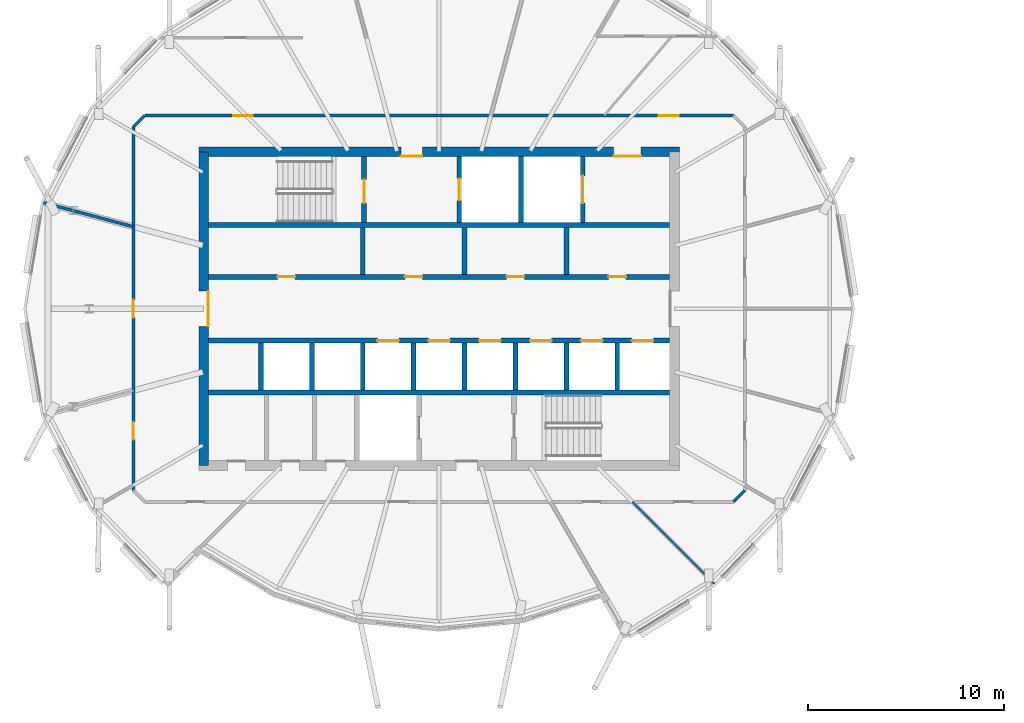
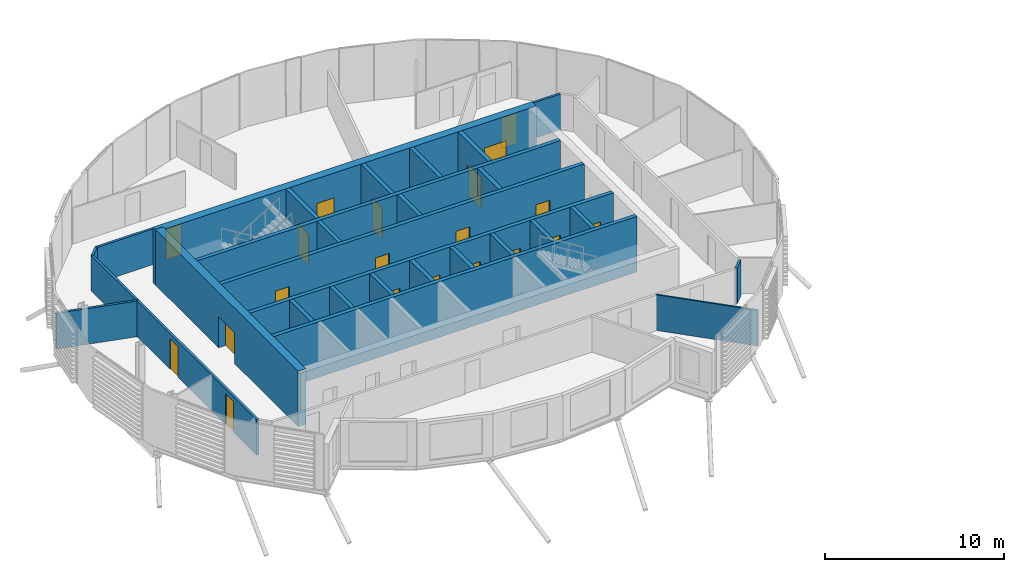
# One storey, part 18 of 38: 27 walls, 20 doors, 20 openings.
"""IFC4 building model written with IfcOpenShell, lengths in metres."""

from ifc_helpers import new_model, si_unit, direction, frame, frame_2d, origin, place, context, subcontext, project, spatial, rectangle, extrude, material, layer, layer_set, type_object, element, fill, save


model = new_model("IFC4")

# Units and contexts
model_context = context("Model", 3, precision=1e-05, world=origin(), true_north=direction((0.0, 1.0)))
body_context = subcontext(model_context, "Body", "Model", "MODEL_VIEW")
ifc_project = project(units=[si_unit("LENGTHUNIT", "METRE"), si_unit("AREAUNIT", "SQUARE_METRE"), si_unit("VOLUMEUNIT", "CUBIC_METRE"), si_unit("PLANEANGLEUNIT", "RADIAN"), si_unit("MASSUNIT", "GRAM", prefix="KILO")], contexts=[model_context])

# Site, building, storey
site_placement = place(None, origin())
site = spatial("IfcSite", under=ifc_project, at=site_placement, CompositionType="ELEMENT")
building_placement = place(site_placement, origin())
building = spatial("IfcBuilding", under=site, at=building_placement, Name="Rimbun Link Towers", CompositionType="ELEMENT")
storey_placement = place(building_placement, frame((0.0, 0.0, 218.10009765625)))
storey = spatial("IfcBuildingStorey", under=building, at=storey_placement, Name="L53", CompositionType="ELEMENT", Elevation=218.10009765625)

# Wall, openings, doors
ifc_material_1 = material(Name="Concrete C60/75", Category="concrete")
ifc_layer_1 = layer(ifc_material_1, 0.5)
ifc_layer_set_1 = layer_set([ifc_layer_1], Name="Core shear wall 500")
wall_type_1 = type_object("IfcWallType", Name="Core shear wall 500", PredefinedType="SHEAR", material=ifc_layer_set_1)
wall_1_placement = place(storey_placement, frame((-44.0, 8.0, 0.0), z_axis=(0.0, 0.0, 1.0), x_axis=(1.0, 0.0, 0.0)))
wall_1 = element("IfcWall", 1, at=wall_1_placement, inside=storey, type_object=wall_type_1, Name="L53 T1 core wall N", PredefinedType="SHEAR", context=body_context, shape_type="SweptSolid", body=[
    extrude(rectangle(XDim=24.5, YDim=0.5, at=frame_2d((12.25, 0.0))), origin(), (0.0, 0.0, 1.0), 3.7998046875),
])
opening_1_placement = place(wall_1_placement, frame((10.300048828125, 0.0, 0.0)))
opening_1 = element("IfcOpeningElement", 2, at=opening_1_placement, cuts=wall_1, Name="Opening C1DCF01N", PredefinedType="OPENING", context=body_context, shape_type="SweptSolid", body=[
    extrude(rectangle(XDim=1.10009765625, YDim=2.10009765625, at=frame_2d((0.550048828125, 1.050048828125))), frame((0.0, 0.260009765625, 0.0), z_axis=(0.0, -1.0, 0.0), x_axis=(1.0, 0.0, 0.0)), (0.0, 0.0, 1.0), 0.52001953125),
])
opening_2_placement = place(wall_1_placement, frame((21.14990234375, 0.0, 0.0)))
opening_2 = element("IfcOpeningElement", 3, at=opening_2_placement, cuts=wall_1, Name="Opening C1DSL02N", PredefinedType="OPENING", context=body_context, shape_type="SweptSolid", body=[
    extrude(rectangle(XDim=1.39990234375, YDim=2.10009765625, at=frame_2d((0.699951171875, 1.050048828125))), frame((0.0, 0.260009765625, 0.0), z_axis=(0.0, -1.0, 0.0), x_axis=(1.0, 0.0, 0.0)), (0.0, 0.0, 1.0), 0.52001953125),
])
ifc_material_2 = material(Name="Steel fire door set", Category="steel")
door_type_1 = type_object("IfcDoorType", Name="Core fire door single", OperationType="SINGLE_SWING_LEFT", PredefinedType="DOOR", material=ifc_material_2)
door_1_placement = place(opening_1_placement, origin())
door_1 = element("IfcDoor", 4, at=door_1_placement, inside=storey, type_object=door_type_1, Name="L53 T1 firefighting lobby n door", OperationType="SINGLE_SWING_LEFT", OverallHeight=2.10009765625, OverallWidth=1.10009765625, PredefinedType="DOOR", context=body_context, shape_type="SweptSolid", body=[
    extrude(rectangle(XDim=1.10009765625, YDim=2.10009765625, at=frame_2d((0.550048828125, 1.050048828125))), frame((0.0, -0.2001953125, 0.0), z_axis=(0.0, -1.0, 0.0), x_axis=(1.0, 0.0, 0.0)), (0.0, 0.0, 1.0), 0.050048828125),
])
fill(opening_1, door_1)
ifc_material_3 = material(Name="Steel fire door set", Category="steel")
door_type_2 = type_object("IfcDoorType", Name="Service lobby door double", OperationType="DOUBLE_DOOR_SINGLE_SWING", PredefinedType="DOOR", material=ifc_material_3)
door_2_placement = place(opening_2_placement, origin())
door_2 = element("IfcDoor", 5, at=door_2_placement, inside=storey, type_object=door_type_2, Name="L53 T1 service lobby door", OperationType="DOUBLE_DOOR_SINGLE_SWING", OverallHeight=2.10009765625, OverallWidth=1.39990234375, PredefinedType="DOOR", context=body_context, shape_type="SweptSolid", body=[
    extrude(rectangle(XDim=1.39990234375, YDim=2.10009765625, at=frame_2d((0.699951171875, 1.050048828125))), frame((0.0, -0.2001953125, 0.0), z_axis=(0.0, -1.0, 0.0), x_axis=(1.0, 0.0, 0.0)), (0.0, 0.0, 1.0), 0.050048828125),
])
fill(opening_2, door_2)

# Wall, opening, door
wall_2_placement = place(storey_placement, frame((-43.75, -8.0, 0.0), z_axis=(0.0, 0.0, 1.0), x_axis=(0.0, 1.0, 0.0)))
wall_2 = element("IfcWall", 6, at=wall_2_placement, inside=storey, type_object=wall_type_1, Name="L53 T1 core wall W", PredefinedType="SHEAR", context=body_context, shape_type="SweptSolid", body=[
    extrude(rectangle(XDim=16.0, YDim=0.5, at=frame_2d((8.0, 0.0))), origin(), (0.0, 0.0, 1.0), 3.7998046875),
])
opening_3_placement = place(wall_2_placement, frame((7.10009765625, 0.0, 0.0)))
opening_3 = element("IfcOpeningElement", 7, at=opening_3_placement, cuts=wall_2, Name="Opening C1DCL01W", PredefinedType="OPENING", context=body_context, shape_type="SweptSolid", body=[
    extrude(rectangle(XDim=1.800048828125, YDim=2.10009765625, at=frame_2d((0.89990234375, 1.050048828125))), frame((0.0, 0.260009765625, 0.0), z_axis=(0.0, -1.0, 0.0), x_axis=(1.0, 0.0, 0.0)), (0.0, 0.0, 1.0), 0.52001953125),
])
ifc_material_4 = material(Name="Steel fire door set", Category="steel")
door_type_3 = type_object("IfcDoorType", Name="Core lobby door double", OperationType="DOUBLE_DOOR_SINGLE_SWING", PredefinedType="DOOR", material=ifc_material_4)
door_3_placement = place(opening_3_placement, origin())
door_3 = element("IfcDoor", 8, at=door_3_placement, inside=storey, type_object=door_type_3, Name="L53 T1 lift lobby door", OperationType="DOUBLE_DOOR_SINGLE_SWING", OverallHeight=2.10009765625, OverallWidth=1.800048828125, PredefinedType="DOOR", context=body_context, shape_type="SweptSolid", body=[
    extrude(rectangle(XDim=1.800048828125, YDim=2.10009765625, at=frame_2d((0.89990234375, 1.050048828125))), frame((0.0, -0.2001953125, 0.0), z_axis=(0.0, -1.0, 0.0), x_axis=(1.0, 0.0, 0.0)), (0.0, 0.0, 1.0), 0.050048828125),
])
fill(opening_3, door_3)

# Wall, openings, doors
ifc_material_5 = material(Name="Plasterboard on steel stud, mineral wool", Category="steel")
ifc_layer_2 = layer(ifc_material_5, 0.14990234375)
ifc_layer_set_2 = layer_set([ifc_layer_2], Name="Corridor wall EI 30 150 mm")
wall_type_2 = type_object("IfcWallType", Name="Corridor wall EI 30 150 mm", PredefinedType="PARTITIONING", material=ifc_layer_set_2)
wall_3_placement = place(storey_placement, frame((-46.753662109375, 9.844970703125, 0.0), z_axis=(0.0, 0.0, 1.0), x_axis=(1.0, 0.0, 0.0)))
wall_3 = element("IfcWall", 9, at=wall_3_placement, inside=storey, type_object=wall_type_2, Name="Corridor wall EI 30 150 mm", PredefinedType="PARTITIONING", context=body_context, shape_type="SweptSolid", body=[
    extrude(rectangle(XDim=30.00732421875, YDim=0.14990234375, at=frame_2d((15.003662109375, 0.0))), origin(), (0.0, 0.0, 1.0), 2.43994140625),
])
opening_4_placement = place(wall_3_placement, frame((26.2119140625, 0.0, 0.0)))
opening_4 = element("IfcOpeningElement", 10, at=opening_4_placement, cuts=wall_3, Name="Opening D01", PredefinedType="OPENING", context=body_context, shape_type="SweptSolid", body=[
    extrude(rectangle(XDim=1.0, YDim=2.10009765625, at=frame_2d((0.5, 1.050048828125))), frame((0.0, 0.0849609375, 0.0), z_axis=(0.0, -1.0, 0.0), x_axis=(1.0, 0.0, 0.0)), (0.0, 0.0, 1.0), 0.169921875),
])
opening_5_placement = place(wall_3_placement, frame((4.50244140625, 0.0, 0.0)))
opening_5 = element("IfcOpeningElement", 11, at=opening_5_placement, cuts=wall_3, Name="Opening D01", PredefinedType="OPENING", context=body_context, shape_type="SweptSolid", body=[
    extrude(rectangle(XDim=1.0, YDim=2.10009765625, at=frame_2d((0.5, 1.050048828125))), frame((0.0, 0.0849609375, 0.0), z_axis=(0.0, -1.0, 0.0), x_axis=(1.0, 0.0, 0.0)), (0.0, 0.0, 1.0), 0.169921875),
])
ifc_material_6 = material(Name="Fire-resisting timber door leaf", Category="wood")
door_type_4 = type_object("IfcDoorType", Name="Fire door FD30S 1000", OperationType="NOTDEFINED", PredefinedType="DOOR", material=ifc_material_6)
door_4_placement = place(opening_4_placement, origin())
door_4 = element("IfcDoor", 12, at=door_4_placement, inside=storey, type_object=door_type_4, Name="Fire door FD30S 1000 to Reception", OperationType="SINGLE_SWING_LEFT", OverallHeight=2.10009765625, OverallWidth=1.0, PredefinedType="DOOR", context=body_context, shape_type="SweptSolid", body=[
    extrude(rectangle(XDim=1.0, YDim=2.10009765625, at=frame_2d((0.5, 1.050048828125))), frame((0.0, 0.02490234375, 0.0), z_axis=(0.0, -1.0, 0.0), x_axis=(1.0, 0.0, 0.0)), (0.0, 0.0, 1.0), 0.050048828125),
])
fill(opening_4, door_4)
door_5_placement = place(opening_5_placement, origin())
door_5 = element("IfcDoor", 13, at=door_5_placement, inside=storey, type_object=door_type_4, Name="Fire door FD30S 1000 to Reception", OperationType="SINGLE_SWING_RIGHT", OverallHeight=2.10009765625, OverallWidth=1.0, PredefinedType="DOOR", context=body_context, shape_type="SweptSolid", body=[
    extrude(rectangle(XDim=1.0, YDim=2.10009765625, at=frame_2d((0.5, 1.050048828125))), frame((0.0, 0.02490234375, 0.0), z_axis=(0.0, -1.0, 0.0), x_axis=(1.0, 0.0, 0.0)), (0.0, 0.0, 1.0), 0.050048828125),
])
fill(opening_5, door_5)

# Wall
wall_4_placement = place(storey_placement, frame((-16.746337890625, -9.844970703125, 0.0), z_axis=(0.0, 0.0, 1.0), x_axis=(0.707106781187, 0.707106781187, 0.0)))
element("IfcWall", 14, at=wall_4_placement, inside=storey, type_object=wall_type_2, Name="Corridor wall EI 30 150 mm", PredefinedType="PARTITIONING", context=body_context, shape_type="SweptSolid", body=[
    extrude(rectangle(XDim=0.822021484375, YDim=0.14990234375, at=frame_2d((0.4111328125, 0.0))), origin(), (0.0, 0.0, 1.0), 2.43994140625),
])

# Wall, openings, doors
wall_5_placement = place(storey_placement, frame((-47.3349609375, -9.263671875, 0.0), z_axis=(0.0, 0.0, 1.0), x_axis=(0.0, 1.0, 0.0)))
wall_5 = element("IfcWall", 15, at=wall_5_placement, inside=storey, type_object=wall_type_2, Name="Corridor wall EI 30 150 mm", PredefinedType="PARTITIONING", context=body_context, shape_type="SweptSolid", body=[
    extrude(rectangle(XDim=18.52734375, YDim=0.14990234375, at=frame_2d((9.263671875, 0.0))), origin(), (0.0, 0.0, 1.0), 2.43994140625),
])
opening_6_placement = place(wall_5_placement, frame((8.813720703125, 0.0, 0.0)))
opening_6 = element("IfcOpeningElement", 16, at=opening_6_placement, cuts=wall_5, Name="Opening D02", PredefinedType="OPENING", context=body_context, shape_type="SweptSolid", body=[
    extrude(rectangle(XDim=0.89990234375, YDim=2.10009765625, at=frame_2d((0.449951171875, 1.050048828125))), frame((0.0, 0.0849609375, 0.0), z_axis=(0.0, -1.0, 0.0), x_axis=(1.0, 0.0, 0.0)), (0.0, 0.0, 1.0), 0.169921875),
])
opening_7_placement = place(wall_5_placement, frame((2.585693359375, 0.0, 0.0)))
opening_7 = element("IfcOpeningElement", 17, at=opening_7_placement, cuts=wall_5, Name="Opening D02", PredefinedType="OPENING", context=body_context, shape_type="SweptSolid", body=[
    extrude(rectangle(XDim=0.89990234375, YDim=2.10009765625, at=frame_2d((0.449951171875, 1.050048828125))), frame((0.0, 0.0849609375, 0.0), z_axis=(0.0, -1.0, 0.0), x_axis=(1.0, 0.0, 0.0)), (0.0, 0.0, 1.0), 0.169921875),
])
ifc_material_7 = material(Name="Fire-resisting timber door leaf", Category="wood")
door_type_5 = type_object("IfcDoorType", Name="Fire door FD30S 900", OperationType="NOTDEFINED", PredefinedType="DOOR", material=ifc_material_7)
door_6_placement = place(opening_6_placement, origin())
door_6 = element("IfcDoor", 18, at=door_6_placement, inside=storey, type_object=door_type_5, Name="Fire door FD30S 900 to Meeting room", OperationType="SINGLE_SWING_LEFT", OverallHeight=2.10009765625, OverallWidth=0.89990234375, PredefinedType="DOOR", context=body_context, shape_type="SweptSolid", body=[
    extrude(rectangle(XDim=0.89990234375, YDim=2.10009765625, at=frame_2d((0.449951171875, 1.050048828125))), frame((0.0, 0.02490234375, 0.0), z_axis=(0.0, -1.0, 0.0), x_axis=(1.0, 0.0, 0.0)), (0.0, 0.0, 1.0), 0.050048828125),
])
fill(opening_6, door_6)
door_7_placement = place(opening_7_placement, origin())
door_7 = element("IfcDoor", 19, at=door_7_placement, inside=storey, type_object=door_type_5, Name="Fire door FD30S 900 to Open office", OperationType="SINGLE_SWING_RIGHT", OverallHeight=2.10009765625, OverallWidth=0.89990234375, PredefinedType="DOOR", context=body_context, shape_type="SweptSolid", body=[
    extrude(rectangle(XDim=0.89990234375, YDim=2.10009765625, at=frame_2d((0.449951171875, 1.050048828125))), frame((0.0, 0.02490234375, 0.0), z_axis=(0.0, -1.0, 0.0), x_axis=(1.0, 0.0, 0.0)), (0.0, 0.0, 1.0), 0.050048828125),
])
fill(opening_7, door_7)

# Walls
wall_6_placement = place(storey_placement, frame((-46.753662109375, 9.844970703125, 0.0), z_axis=(0.0, 0.0, 1.0), x_axis=(-0.707106781187, -0.707106781187, 0.0)))
element("IfcWall", 20, at=wall_6_placement, inside=storey, type_object=wall_type_2, Name="Corridor wall EI 30 150 mm", PredefinedType="PARTITIONING", context=body_context, shape_type="SweptSolid", body=[
    extrude(rectangle(XDim=0.822021484375, YDim=0.14990234375, at=frame_2d((0.4111328125, 0.0))), origin(), (0.0, 0.0, 1.0), 2.43994140625),
])
ifc_material_8 = material(Name="Plasterboard on steel stud", Category="steel")
ifc_layer_3 = layer(ifc_material_8, 0.10009765625)
ifc_layer_set_3 = layer_set([ifc_layer_3], Name="Plasterboard partition 100 mm")
wall_type_3 = type_object("IfcWallType", Name="Plasterboard partition 100 mm", PredefinedType="PARTITIONING", material=ifc_layer_set_3)
wall_7_placement = place(storey_placement, frame((-17.7236328125, -14.0263671875, 0.0), z_axis=(0.0, 0.0, 1.0), x_axis=(-0.707106781187, 0.707106781187, 0.0)))
element("IfcWall", 21, at=wall_7_placement, inside=storey, type_object=wall_type_3, Name="Plasterboard partition 100 mm", PredefinedType="PARTITIONING", context=body_context, shape_type="SweptSolid", body=[
    extrude(rectangle(XDim=5.913330078125, YDim=0.10009765625, at=frame_2d((2.95654296875, 0.0))), origin(), (0.0, 0.0, 1.0), 2.43994140625),
])
ifc_material_9 = material(Name="Concrete C60/75", Category="concrete")
ifc_layer_4 = layer(ifc_material_9, 0.25)
ifc_layer_set_4 = layer_set([ifc_layer_4], Name="Shaft wall 250")
wall_type_4 = type_object("IfcWallType", Name="Shaft wall 250", PredefinedType="SHEAR", material=ifc_layer_set_4)
for number, where, z_axis, x_axis, name in (
    (22, (-43.5, 4.27490234375, 0.0), (0.0, 0.0, 1.0), (1.0, 0.0, 0.0), "L53 T1 core wall BN"),
    (23, (-43.5, -4.27490234375, 0.0), (0.0, 0.0, 1.0), (1.0, 0.0, 0.0), "L53 T1 core wall BS"),
):
    element("IfcWall", number, at=place(storey_placement, frame(where, z_axis=z_axis, x_axis=x_axis)), inside=storey, type_object=wall_type_4, Name=name, PredefinedType="SHEAR", context=body_context, shape_type="SweptSolid", body=[
        extrude(rectangle(XDim=23.5, YDim=0.25, at=frame_2d((11.75, 0.0))), origin(), (0.0, 0.0, 1.0), 3.7998046875),
    ])

# Wall, openings, doors
wall_8_placement = place(storey_placement, frame((-43.5, 1.625, 0.0), z_axis=(0.0, 0.0, 1.0), x_axis=(1.0, 0.0, 0.0)))
wall_8 = element("IfcWall", 24, at=wall_8_placement, inside=storey, type_object=wall_type_4, Name="L53 T1 core wall FN", PredefinedType="SHEAR", context=body_context, shape_type="SweptSolid", body=[
    extrude(rectangle(XDim=23.5, YDim=0.25, at=frame_2d((11.75, 0.0))), origin(), (0.0, 0.0, 1.0), 3.7998046875),
])
opening_8_placement = place(wall_8_placement, frame((3.5166015625, 0.0, 0.0)))
opening_8 = element("IfcOpeningElement", 25, at=opening_8_placement, cuts=wall_8, Name="Opening C1DRS01FN", PredefinedType="OPENING", context=body_context, shape_type="SweptSolid", body=[
    extrude(rectangle(XDim=0.89990234375, YDim=2.10009765625, at=frame_2d((0.449951171875, 1.050048828125))), frame((0.0, 0.135009765625, 0.0), z_axis=(0.0, -1.0, 0.0), x_axis=(1.0, 0.0, 0.0)), (0.0, 0.0, 1.0), 0.27001953125),
])
opening_9_placement = place(wall_8_placement, frame((10.002685546875, 0.0, 0.0)))
opening_9 = element("IfcOpeningElement", 26, at=opening_9_placement, cuts=wall_8, Name="Opening C1DRS02FN", PredefinedType="OPENING", context=body_context, shape_type="SweptSolid", body=[
    extrude(rectangle(XDim=0.89990234375, YDim=2.10009765625, at=frame_2d((0.449951171875, 1.050048828125))), frame((0.0, 0.135009765625, 0.0), z_axis=(0.0, -1.0, 0.0), x_axis=(1.0, 0.0, 0.0)), (0.0, 0.0, 1.0), 0.27001953125),
])
opening_10_placement = place(wall_8_placement, frame((15.191650390625, 0.0, 0.0)))
opening_10 = element("IfcOpeningElement", 27, at=opening_10_placement, cuts=wall_8, Name="Opening C1DRS03FN", PredefinedType="OPENING", context=body_context, shape_type="SweptSolid", body=[
    extrude(rectangle(XDim=0.89990234375, YDim=2.10009765625, at=frame_2d((0.449951171875, 1.050048828125))), frame((0.0, 0.135009765625, 0.0), z_axis=(0.0, -1.0, 0.0), x_axis=(1.0, 0.0, 0.0)), (0.0, 0.0, 1.0), 0.27001953125),
])
opening_11_placement = place(wall_8_placement, frame((20.380615234375, 0.0, 0.0)))
opening_11 = element("IfcOpeningElement", 28, at=opening_11_placement, cuts=wall_8, Name="Opening C1DRS04FN", PredefinedType="OPENING", context=body_context, shape_type="SweptSolid", body=[
    extrude(rectangle(XDim=0.89990234375, YDim=2.10009765625, at=frame_2d((0.449951171875, 1.050048828125))), frame((0.0, 0.135009765625, 0.0), z_axis=(0.0, -1.0, 0.0), x_axis=(1.0, 0.0, 0.0)), (0.0, 0.0, 1.0), 0.27001953125),
])
ifc_material_10 = material(Name="Steel fire door set", Category="steel")
door_type_6 = type_object("IfcDoorType", Name="Core riser door", OperationType="SINGLE_SWING_LEFT", PredefinedType="DOOR", material=ifc_material_10)
door_8_placement = place(opening_8_placement, origin())
door_8 = element("IfcDoor", 29, at=door_8_placement, inside=storey, type_object=door_type_6, Name="L53 T1 training store door", OperationType="SINGLE_SWING_LEFT", OverallHeight=2.10009765625, OverallWidth=0.89990234375, PredefinedType="DOOR", context=body_context, shape_type="SweptSolid", body=[
    extrude(rectangle(XDim=0.89990234375, YDim=2.10009765625, at=frame_2d((0.449951171875, 1.050048828125))), frame((0.0, 0.02490234375, 0.0), z_axis=(0.0, -1.0, 0.0), x_axis=(1.0, 0.0, 0.0)), (0.0, 0.0, 1.0), 0.050048828125),
])
fill(opening_8, door_8)
door_9_placement = place(opening_9_placement, origin())
door_9 = element("IfcDoor", 30, at=door_9_placement, inside=storey, type_object=door_type_6, Name="L53 T1 print room door", OperationType="SINGLE_SWING_RIGHT", OverallHeight=2.10009765625, OverallWidth=0.89990234375, PredefinedType="DOOR", context=body_context, shape_type="SweptSolid", body=[
    extrude(rectangle(XDim=0.89990234375, YDim=2.10009765625, at=frame_2d((0.449951171875, 1.050048828125))), frame((0.0, 0.02490234375, 0.0), z_axis=(0.0, -1.0, 0.0), x_axis=(1.0, 0.0, 0.0)), (0.0, 0.0, 1.0), 0.050048828125),
])
fill(opening_9, door_9)
door_10_placement = place(opening_10_placement, origin())
door_10 = element("IfcDoor", 31, at=door_10_placement, inside=storey, type_object=door_type_6, Name="L53 T1 staff lounge door", OperationType="SINGLE_SWING_LEFT", OverallHeight=2.10009765625, OverallWidth=0.89990234375, PredefinedType="DOOR", context=body_context, shape_type="SweptSolid", body=[
    extrude(rectangle(XDim=0.89990234375, YDim=2.10009765625, at=frame_2d((0.449951171875, 1.050048828125))), frame((0.0, 0.02490234375, 0.0), z_axis=(0.0, -1.0, 0.0), x_axis=(1.0, 0.0, 0.0)), (0.0, 0.0, 1.0), 0.050048828125),
])
fill(opening_10, door_10)
door_11_placement = place(opening_11_placement, origin())
door_11 = element("IfcDoor", 32, at=door_11_placement, inside=storey, type_object=door_type_6, Name="L53 T1 phone room door", OperationType="SINGLE_SWING_LEFT", OverallHeight=2.10009765625, OverallWidth=0.89990234375, PredefinedType="DOOR", context=body_context, shape_type="SweptSolid", body=[
    extrude(rectangle(XDim=0.89990234375, YDim=2.10009765625, at=frame_2d((0.449951171875, 1.050048828125))), frame((0.0, 0.02490234375, 0.0), z_axis=(0.0, -1.0, 0.0), x_axis=(1.0, 0.0, 0.0)), (0.0, 0.0, 1.0), 0.050048828125),
])
fill(opening_11, door_11)

wall_9_placement = place(storey_placement, frame((-43.5, -1.625, 0.0), z_axis=(0.0, 0.0, 1.0), x_axis=(1.0, 0.0, 0.0)))
wall_9 = element("IfcWall", 33, at=wall_9_placement, inside=storey, type_object=wall_type_4, Name="L53 T1 core wall FS", PredefinedType="SHEAR", context=body_context, shape_type="SweptSolid", body=[
    extrude(rectangle(XDim=23.5, YDim=0.25, at=frame_2d((11.75, 0.0))), origin(), (0.0, 0.0, 1.0), 3.7998046875),
])
opening_12_placement = place(wall_9_placement, frame((8.605712890625, 0.0, 0.0)))
opening_12 = element("IfcOpeningElement", 34, at=opening_12_placement, cuts=wall_9, Name="Opening LD-T1-HR1", PredefinedType="OPENING", context=body_context, shape_type="SweptSolid", body=[
    extrude(rectangle(XDim=1.10009765625, YDim=2.10009765625, at=frame_2d((0.550048828125, 1.050048828125))), frame((0.0, 0.135009765625, 0.0), z_axis=(0.0, -1.0, 0.0), x_axis=(1.0, 0.0, 0.0)), (0.0, 0.0, 1.0), 0.27001953125),
])
opening_13_placement = place(wall_9_placement, frame((11.199951171875, 0.0, 0.0)))
opening_13 = element("IfcOpeningElement", 35, at=opening_13_placement, cuts=wall_9, Name="Opening LD-T1-HR2", PredefinedType="OPENING", context=body_context, shape_type="SweptSolid", body=[
    extrude(rectangle(XDim=1.10009765625, YDim=2.10009765625, at=frame_2d((0.550048828125, 1.050048828125))), frame((0.0, 0.135009765625, 0.0), z_axis=(0.0, -1.0, 0.0), x_axis=(1.0, 0.0, 0.0)), (0.0, 0.0, 1.0), 0.27001953125),
])
opening_14_placement = place(wall_9_placement, frame((13.79443359375, 0.0, 0.0)))
opening_14 = element("IfcOpeningElement", 36, at=opening_14_placement, cuts=wall_9, Name="Opening LD-T1-HR3", PredefinedType="OPENING", context=body_context, shape_type="SweptSolid", body=[
    extrude(rectangle(XDim=1.10009765625, YDim=2.10009765625, at=frame_2d((0.550048828125, 1.050048828125))), frame((0.0, 0.135009765625, 0.0), z_axis=(0.0, -1.0, 0.0), x_axis=(1.0, 0.0, 0.0)), (0.0, 0.0, 1.0), 0.27001953125),
])
opening_15_placement = place(wall_9_placement, frame((16.388916015625, 0.0, 0.0)))
opening_15 = element("IfcOpeningElement", 37, at=opening_15_placement, cuts=wall_9, Name="Opening LD-T1-HR4", PredefinedType="OPENING", context=body_context, shape_type="SweptSolid", body=[
    extrude(rectangle(XDim=1.10009765625, YDim=2.10009765625, at=frame_2d((0.550048828125, 1.050048828125))), frame((0.0, 0.135009765625, 0.0), z_axis=(0.0, -1.0, 0.0), x_axis=(1.0, 0.0, 0.0)), (0.0, 0.0, 1.0), 0.27001953125),
])
opening_16_placement = place(wall_9_placement, frame((18.9833984375, 0.0, 0.0)))
opening_16 = element("IfcOpeningElement", 38, at=opening_16_placement, cuts=wall_9, Name="Opening LD-T1-HR5", PredefinedType="OPENING", context=body_context, shape_type="SweptSolid", body=[
    extrude(rectangle(XDim=1.10009765625, YDim=2.10009765625, at=frame_2d((0.550048828125, 1.050048828125))), frame((0.0, 0.135009765625, 0.0), z_axis=(0.0, -1.0, 0.0), x_axis=(1.0, 0.0, 0.0)), (0.0, 0.0, 1.0), 0.27001953125),
])
opening_17_placement = place(wall_9_placement, frame((21.577880859375, 0.0, 0.0)))
opening_17 = element("IfcOpeningElement", 39, at=opening_17_placement, cuts=wall_9, Name="Opening LD-T1-HR6", PredefinedType="OPENING", context=body_context, shape_type="SweptSolid", body=[
    extrude(rectangle(XDim=1.10009765625, YDim=2.10009765625, at=frame_2d((0.550048828125, 1.050048828125))), frame((0.0, 0.135009765625, 0.0), z_axis=(0.0, -1.0, 0.0), x_axis=(1.0, 0.0, 0.0)), (0.0, 0.0, 1.0), 0.27001953125),
])
ifc_material_11 = material(Name="Stainless steel grade 316", Category="steel")
door_type_7 = type_object("IfcDoorType", Name="Lift landing door", OperationType="DOUBLE_DOOR_SLIDING", PredefinedType="DOOR", material=ifc_material_11)
door_12_placement = place(opening_12_placement, origin())
door_12 = element("IfcDoor", 40, at=door_12_placement, inside=storey, type_object=door_type_7, Name="L53 T1 lift HR1 landing door", OperationType="DOUBLE_DOOR_SLIDING", OverallHeight=2.10009765625, OverallWidth=1.10009765625, PredefinedType="DOOR", context=body_context, shape_type="SweptSolid", body=[
    extrude(rectangle(XDim=1.10009765625, YDim=2.10009765625, at=frame_2d((0.550048828125, 1.050048828125))), frame((0.0, 0.02490234375, 0.0), z_axis=(0.0, -1.0, 0.0), x_axis=(1.0, 0.0, 0.0)), (0.0, 0.0, 1.0), 0.050048828125),
])
fill(opening_12, door_12)
door_13_placement = place(opening_13_placement, origin())
door_13 = element("IfcDoor", 41, at=door_13_placement, inside=storey, type_object=door_type_7, Name="L53 T1 lift HR2 landing door", OperationType="DOUBLE_DOOR_SLIDING", OverallHeight=2.10009765625, OverallWidth=1.10009765625, PredefinedType="DOOR", context=body_context, shape_type="SweptSolid", body=[
    extrude(rectangle(XDim=1.10009765625, YDim=2.10009765625, at=frame_2d((0.550048828125, 1.050048828125))), frame((0.0, 0.02490234375, 0.0), z_axis=(0.0, -1.0, 0.0), x_axis=(1.0, 0.0, 0.0)), (0.0, 0.0, 1.0), 0.050048828125),
])
fill(opening_13, door_13)
door_14_placement = place(opening_14_placement, origin())
door_14 = element("IfcDoor", 42, at=door_14_placement, inside=storey, type_object=door_type_7, Name="L53 T1 lift HR3 landing door", OperationType="DOUBLE_DOOR_SLIDING", OverallHeight=2.10009765625, OverallWidth=1.10009765625, PredefinedType="DOOR", context=body_context, shape_type="SweptSolid", body=[
    extrude(rectangle(XDim=1.10009765625, YDim=2.10009765625, at=frame_2d((0.550048828125, 1.050048828125))), frame((0.0, 0.02490234375, 0.0), z_axis=(0.0, -1.0, 0.0), x_axis=(1.0, 0.0, 0.0)), (0.0, 0.0, 1.0), 0.050048828125),
])
fill(opening_14, door_14)
door_15_placement = place(opening_15_placement, origin())
door_15 = element("IfcDoor", 43, at=door_15_placement, inside=storey, type_object=door_type_7, Name="L53 T1 lift HR4 landing door", OperationType="DOUBLE_DOOR_SLIDING", OverallHeight=2.10009765625, OverallWidth=1.10009765625, PredefinedType="DOOR", context=body_context, shape_type="SweptSolid", body=[
    extrude(rectangle(XDim=1.10009765625, YDim=2.10009765625, at=frame_2d((0.550048828125, 1.050048828125))), frame((0.0, 0.02490234375, 0.0), z_axis=(0.0, -1.0, 0.0), x_axis=(1.0, 0.0, 0.0)), (0.0, 0.0, 1.0), 0.050048828125),
])
fill(opening_15, door_15)
door_16_placement = place(opening_16_placement, origin())
door_16 = element("IfcDoor", 44, at=door_16_placement, inside=storey, type_object=door_type_7, Name="L53 T1 lift HR5 landing door", OperationType="DOUBLE_DOOR_SLIDING", OverallHeight=2.10009765625, OverallWidth=1.10009765625, PredefinedType="DOOR", context=body_context, shape_type="SweptSolid", body=[
    extrude(rectangle(XDim=1.10009765625, YDim=2.10009765625, at=frame_2d((0.550048828125, 1.050048828125))), frame((0.0, 0.02490234375, 0.0), z_axis=(0.0, -1.0, 0.0), x_axis=(1.0, 0.0, 0.0)), (0.0, 0.0, 1.0), 0.050048828125),
])
fill(opening_16, door_16)
door_17_placement = place(opening_17_placement, origin())
door_17 = element("IfcDoor", 45, at=door_17_placement, inside=storey, type_object=door_type_7, Name="L53 T1 lift HR6 landing door", OperationType="DOUBLE_DOOR_SLIDING", OverallHeight=2.10009765625, OverallWidth=1.10009765625, PredefinedType="DOOR", context=body_context, shape_type="SweptSolid", body=[
    extrude(rectangle(XDim=1.10009765625, YDim=2.10009765625, at=frame_2d((0.550048828125, 1.050048828125))), frame((0.0, 0.02490234375, 0.0), z_axis=(0.0, -1.0, 0.0), x_axis=(1.0, 0.0, 0.0)), (0.0, 0.0, 1.0), 0.050048828125),
])
fill(opening_17, door_17)

# Walls
for number, where, z_axis, x_axis, name in (
    (46, (-35.6416015625, 1.75, 0.0), (0.0, 0.0, 1.0), (0.0, 1.0, 0.0), "L53 T1 core wall DN2"),
    (47, (-30.452880859375, 1.75, 0.0), (0.0, 0.0, 1.0), (0.0, 1.0, 0.0), "L53 T1 core wall DN4"),
    (48, (-25.263916015625, 1.75, 0.0), (0.0, 0.0, 1.0), (0.0, 1.0, 0.0), "L53 T1 core wall DN6"),
    (49, (-40.83056640625, -4.14990234375, 0.0), (0.0, 0.0, 1.0), (0.0, 1.0, 0.0), "L53 T1 core wall DS0"),
    (50, (-38.236083984375, -4.14990234375, 0.0), (0.0, 0.0, 1.0), (0.0, 1.0, 0.0), "L53 T1 core wall DS1"),
    (51, (-35.6416015625, -4.14990234375, 0.0), (0.0, 0.0, 1.0), (0.0, 1.0, 0.0), "L53 T1 core wall DS2"),
    (52, (-33.047119140625, -4.14990234375, 0.0), (0.0, 0.0, 1.0), (0.0, 1.0, 0.0), "L53 T1 core wall DS3"),
    (53, (-30.452880859375, -4.14990234375, 0.0), (0.0, 0.0, 1.0), (0.0, 1.0, 0.0), "L53 T1 core wall DS4"),
    (54, (-27.8583984375, -4.14990234375, 0.0), (0.0, 0.0, 1.0), (0.0, 1.0, 0.0), "L53 T1 core wall DS5"),
    (55, (-25.263916015625, -4.14990234375, 0.0), (0.0, 0.0, 1.0), (0.0, 1.0, 0.0), "L53 T1 core wall DS6"),
    (56, (-22.66943359375, -4.14990234375, 0.0), (0.0, 0.0, 1.0), (0.0, 1.0, 0.0), "L53 T1 core wall DS7"),
):
    element("IfcWall", number, at=place(storey_placement, frame(where, z_axis=z_axis, x_axis=x_axis)), inside=storey, type_object=wall_type_4, Name=name, PredefinedType="SHEAR", context=body_context, shape_type="SweptSolid", body=[
        extrude(rectangle(XDim=2.39990234375, YDim=0.25, at=frame_2d((1.199951171875, 0.0))), origin(), (0.0, 0.0, 1.0), 3.7998046875),
    ])

# Wall, opening, door
wall_10_placement = place(storey_placement, frame((-35.574951171875, 4.39990234375, 0.0), z_axis=(0.0, 0.0, 1.0), x_axis=(0.0, 1.0, 0.0)))
wall_10 = element("IfcWall", 57, at=wall_10_placement, inside=storey, type_object=wall_type_4, Name="L53 T1 core wall A1", PredefinedType="SHEAR", context=body_context, shape_type="SweptSolid", body=[
    extrude(rectangle(XDim=3.35009765625, YDim=0.25, at=frame_2d((1.675048828125, 0.0))), origin(), (0.0, 0.0, 1.0), 3.7998046875),
])
opening_18_placement = place(wall_10_placement, frame((0.97509765625, 0.0, 0.0)))
opening_18 = element("IfcOpeningElement", 58, at=opening_18_placement, cuts=wall_10, Name="Opening C1DST01A1", PredefinedType="OPENING", context=body_context, shape_type="SweptSolid", body=[
    extrude(rectangle(XDim=1.199951171875, YDim=2.10009765625, at=frame_2d((0.60009765625, 1.050048828125))), frame((0.0, 0.135009765625, 0.0), z_axis=(0.0, -1.0, 0.0), x_axis=(1.0, 0.0, 0.0)), (0.0, 0.0, 1.0), 0.27001953125),
])
ifc_material_12 = material(Name="Steel fire door set", Category="steel")
door_type_8 = type_object("IfcDoorType", Name="Stair door", OperationType="SINGLE_SWING_LEFT", PredefinedType="DOOR", material=ifc_material_12)
door_18_placement = place(opening_18_placement, origin())
door_18 = element("IfcDoor", 59, at=door_18_placement, inside=storey, type_object=door_type_8, Name="L53 T1 stair a door", OperationType="SINGLE_SWING_RIGHT", OverallHeight=2.10009765625, OverallWidth=1.199951171875, PredefinedType="DOOR", context=body_context, shape_type="SweptSolid", body=[
    extrude(rectangle(XDim=1.199951171875, YDim=2.10009765625, at=frame_2d((0.60009765625, 1.050048828125))), frame((0.0, 0.02490234375, 0.0), z_axis=(0.0, -1.0, 0.0), x_axis=(1.0, 0.0, 0.0)), (0.0, 0.0, 1.0), 0.050048828125),
])
fill(opening_18, door_18)

wall_11_placement = place(storey_placement, frame((-30.72509765625, 4.39990234375, 0.0), z_axis=(0.0, 0.0, 1.0), x_axis=(0.0, 1.0, 0.0)))
wall_11 = element("IfcWall", 60, at=wall_11_placement, inside=storey, type_object=wall_type_4, Name="L53 T1 core wall A2", PredefinedType="SHEAR", context=body_context, shape_type="SweptSolid", body=[
    extrude(rectangle(XDim=3.35009765625, YDim=0.25, at=frame_2d((1.675048828125, 0.0))), origin(), (0.0, 0.0, 1.0), 3.7998046875),
])
opening_19_placement = place(wall_11_placement, frame((1.125, 0.0, 0.0)))
opening_19 = element("IfcOpeningElement", 61, at=opening_19_placement, cuts=wall_11, Name="Opening LD-T1-FF1", PredefinedType="OPENING", context=body_context, shape_type="SweptSolid", body=[
    extrude(rectangle(XDim=1.10009765625, YDim=2.10009765625, at=frame_2d((0.550048828125, 1.050048828125))), frame((0.0, 0.135009765625, 0.0), z_axis=(0.0, -1.0, 0.0), x_axis=(1.0, 0.0, 0.0)), (0.0, 0.0, 1.0), 0.27001953125),
])
door_19_placement = place(opening_19_placement, origin())
door_19 = element("IfcDoor", 62, at=door_19_placement, inside=storey, type_object=door_type_7, Name="L53 T1 lift FF1 landing door", OperationType="DOUBLE_DOOR_SLIDING", OverallHeight=2.10009765625, OverallWidth=1.10009765625, PredefinedType="DOOR", context=body_context, shape_type="SweptSolid", body=[
    extrude(rectangle(XDim=1.10009765625, YDim=2.10009765625, at=frame_2d((0.550048828125, 1.050048828125))), frame((0.0, 0.02490234375, 0.0), z_axis=(0.0, -1.0, 0.0), x_axis=(1.0, 0.0, 0.0)), (0.0, 0.0, 1.0), 0.050048828125),
])
fill(opening_19, door_19)

# Wall
wall_12_placement = place(storey_placement, frame((-27.574951171875, 4.39990234375, 0.0), z_axis=(0.0, 0.0, 1.0), x_axis=(0.0, 1.0, 0.0)))
element("IfcWall", 63, at=wall_12_placement, inside=storey, type_object=wall_type_4, Name="L53 T1 core wall A3", PredefinedType="SHEAR", context=body_context, shape_type="SweptSolid", body=[
    extrude(rectangle(XDim=3.35009765625, YDim=0.25, at=frame_2d((1.675048828125, 0.0))), origin(), (0.0, 0.0, 1.0), 3.7998046875),
])

# Wall, opening, door
wall_13_placement = place(storey_placement, frame((-24.425048828125, 4.39990234375, 0.0), z_axis=(0.0, 0.0, 1.0), x_axis=(0.0, 1.0, 0.0)))
wall_13 = element("IfcWall", 64, at=wall_13_placement, inside=storey, type_object=wall_type_4, Name="L53 T1 core wall A4", PredefinedType="SHEAR", context=body_context, shape_type="SweptSolid", body=[
    extrude(rectangle(XDim=3.35009765625, YDim=0.25, at=frame_2d((1.675048828125, 0.0))), origin(), (0.0, 0.0, 1.0), 3.7998046875),
])
opening_20_placement = place(wall_13_placement, frame((0.97509765625, 0.0, 0.0)))
opening_20 = element("IfcOpeningElement", 65, at=opening_20_placement, cuts=wall_13, Name="Opening LD-T1-GL1", PredefinedType="OPENING", context=body_context, shape_type="SweptSolid", body=[
    extrude(rectangle(XDim=1.39990234375, YDim=2.10009765625, at=frame_2d((0.699951171875, 1.050048828125))), frame((0.0, 0.135009765625, 0.0), z_axis=(0.0, -1.0, 0.0), x_axis=(1.0, 0.0, 0.0)), (0.0, 0.0, 1.0), 0.27001953125),
])
ifc_material_13 = material(Name="Stainless steel grade 316", Category="steel")
door_type_9 = type_object("IfcDoorType", Name="Goods lift landing door", OperationType="DOUBLE_DOOR_SLIDING", PredefinedType="DOOR", material=ifc_material_13)
door_20_placement = place(opening_20_placement, origin())
door_20 = element("IfcDoor", 66, at=door_20_placement, inside=storey, type_object=door_type_9, Name="L53 T1 lift GL1 landing door", OperationType="DOUBLE_DOOR_SLIDING", OverallHeight=2.10009765625, OverallWidth=1.39990234375, PredefinedType="DOOR", context=body_context, shape_type="SweptSolid", body=[
    extrude(rectangle(XDim=1.39990234375, YDim=2.10009765625, at=frame_2d((0.699951171875, 1.050048828125))), frame((0.0, 0.02490234375, 0.0), z_axis=(0.0, -1.0, 0.0), x_axis=(1.0, 0.0, 0.0)), (0.0, 0.0, 1.0), 0.050048828125),
])
fill(opening_20, door_20)

# Wall
ifc_material_14 = material(Name="Plasterboard on steel stud, mineral wool", Category="steel")
ifc_layer_5 = layer(ifc_material_14, 0.14990234375)
ifc_layer_set_5 = layer_set([ifc_layer_5], Name="Tenancy separation wall EI 60 150 mm")
wall_type_5 = type_object("IfcWallType", Name="Tenancy separation wall EI 60 150 mm", PredefinedType="PARTITIONING", material=ifc_layer_set_5)
wall_14_placement = place(storey_placement, frame((-47.3349609375, 4.176025390625, 0.0), z_axis=(0.0, 0.0, 1.0), x_axis=(-0.96593474065, 0.258785773964, 0.0)))
element("IfcWall", 67, at=wall_14_placement, inside=storey, type_object=wall_type_5, Name="Tenancy separation wall EI 60 150 mm", PredefinedType="PARTITIONING", context=body_context, shape_type="SweptSolid", body=[
    extrude(rectangle(XDim=4.748291015625, YDim=0.14990234375, at=frame_2d((2.3740234375, 0.0))), origin(), (0.0, 0.0, 1.0), 2.43994140625),
])

save(model, "model.ifc")
